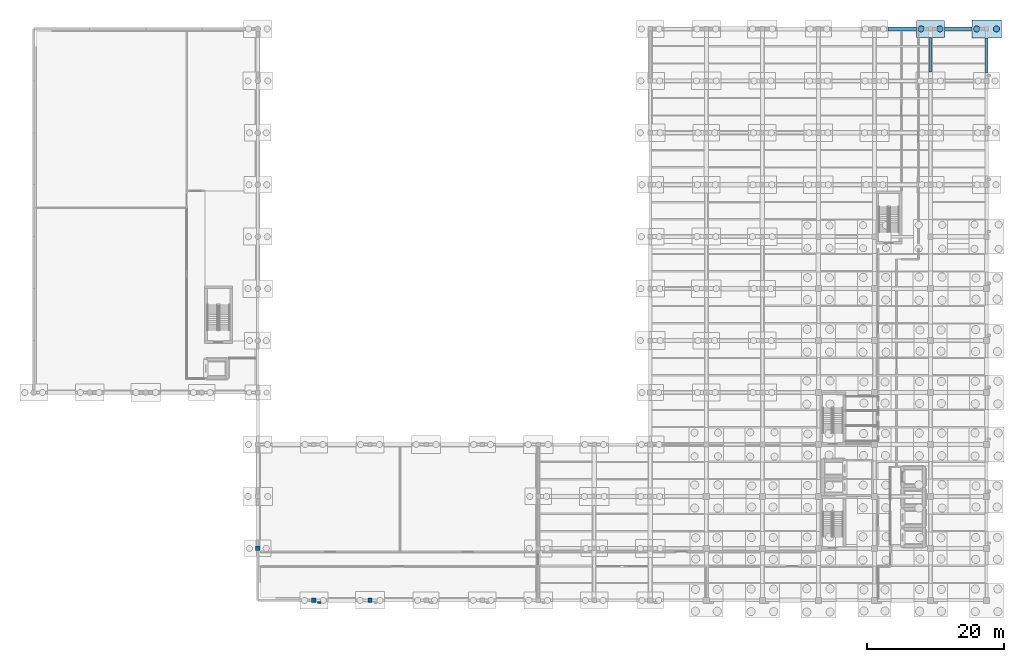
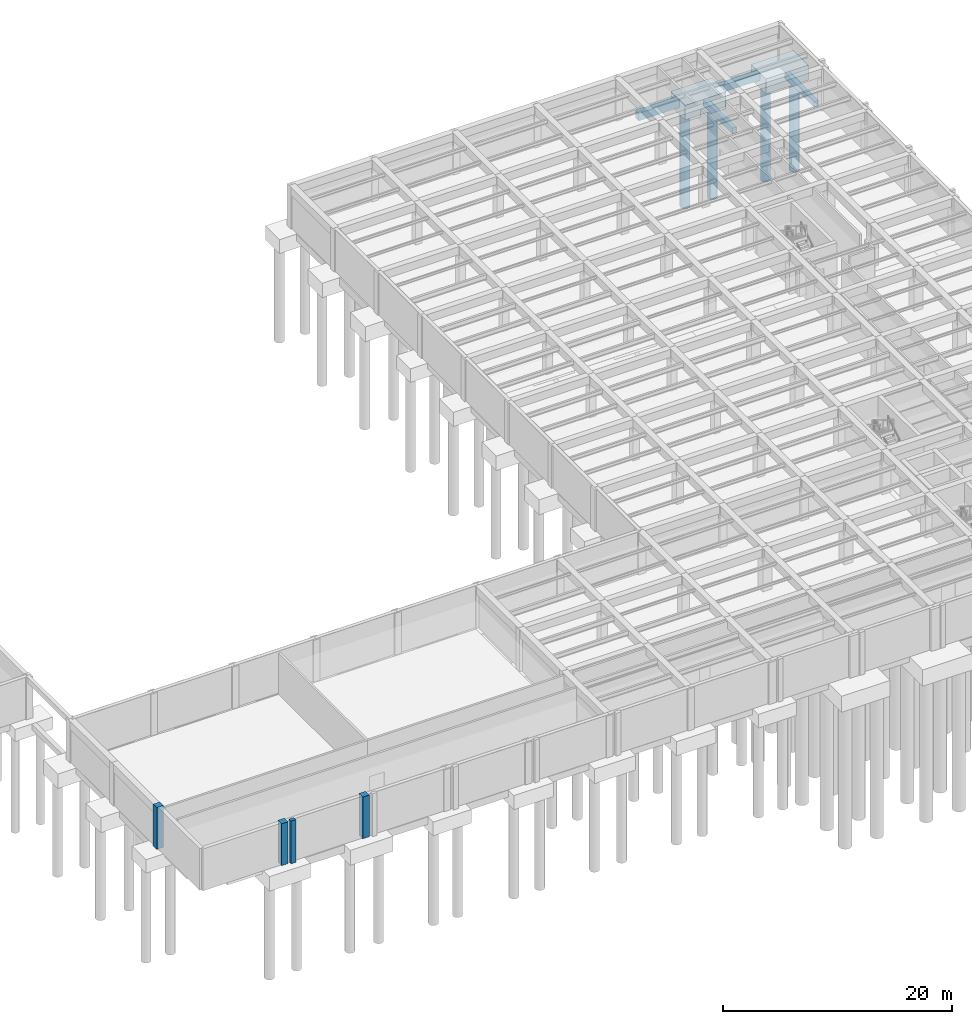
# One storey, part 8 of 29: 6 footings, 4 columns, 4 piles.
"""IFC4 building model written with IfcOpenShell, lengths in metres."""

from ifc_helpers import new_model, si_unit, direction, frame, origin, origin_2d, place, context, subcontext, project, spatial, rectangle, circle, extrude, material, material_profile, profile_set, type_object, element, save


model = new_model("IFC4")

# Units and contexts
model_context = context("Model", 3, precision=1e-05, world=origin(), true_north=direction((0.0, 1.0)))
body_context = subcontext(model_context, "Body", "Model", "MODEL_VIEW")
ifc_project = project(units=[si_unit("LENGTHUNIT", "METRE"), si_unit("AREAUNIT", "SQUARE_METRE"), si_unit("VOLUMEUNIT", "CUBIC_METRE"), si_unit("PLANEANGLEUNIT", "RADIAN"), si_unit("MASSUNIT", "GRAM", prefix="KILO")], contexts=[model_context])

# Site, building, storey
site_placement = place(None, origin())
site = spatial("IfcSite", under=ifc_project, at=site_placement, CompositionType="ELEMENT")
building_placement = place(site_placement, origin())
building = spatial("IfcBuilding", under=site, at=building_placement, Name="Qandaris Square Conservatory and Botanical Centre", CompositionType="ELEMENT")
storey_placement = place(building_placement, frame((0.0, 0.0, -4.800048828125)))
storey = spatial("IfcBuildingStorey", under=building, at=storey_placement, Name="B1", CompositionType="ELEMENT", Elevation=-4.800048828125)

# Piles
ifc_material_1 = material(Name="Concrete C50/60", Category="concrete")
ifc_material_profile_1 = material_profile(ifc_material_1, circle(Radius=0.449951171875, at=origin_2d()), Name="PILE D900")
ifc_profile_set_1 = profile_set([ifc_material_profile_1], Name="Concrete C50/60")
pile_type = type_object("IfcPileType", Name="Bored Pile D900", PredefinedType="BORED", material=ifc_profile_set_1)
for number, where, z_axis, x_axis, name in (
    (1, (154.22509765625, 100.199951171875, -1.449951171875), (0.0, 0.0, -1.0), (1.0, 0.0, 0.0), "Bored Pile N19-1"),
    (2, (156.97509765625, 100.199951171875, -1.449951171875), (0.0, 0.0, -1.0), (1.0, 0.0, 0.0), "Bored Pile N19-2"),
):
    element("IfcPile", number, at=place(storey_placement, frame(where, z_axis=z_axis, x_axis=x_axis)), inside=storey, type_object=pile_type, Name=name, PredefinedType="BORED", context=body_context, shape_type="SweptSolid", body=[
        extrude(circle(Radius=0.449951171875, at=origin_2d()), origin(), (0.0, 0.0, 1.0), 10.25),
    ])
for number, where, z_axis, x_axis, name in (
    (3, (162.35009765625, 100.199951171875, -1.5), (0.0, 0.0, -1.0), (1.0, 0.0, 0.0), "Bored Pile N20-1"),
    (4, (165.25, 100.199951171875, -1.5), (0.0, 0.0, -1.0), (1.0, 0.0, 0.0), "Bored Pile N20-2"),
):
    element("IfcPile", number, at=place(storey_placement, frame(where, z_axis=z_axis, x_axis=x_axis)), inside=storey, type_object=pile_type, Name=name, PredefinedType="BORED", context=body_context, shape_type="SweptSolid", body=[
        extrude(circle(Radius=0.449951171875, at=origin_2d()), origin(), (0.0, 0.0, 1.0), 10.199951171875),
    ])

# Footings
ifc_material_2 = material(Name="Concrete C40/50", Category="concrete")
ifc_material_profile_2 = material_profile(ifc_material_2, rectangle(XDim=0.550048828125, YDim=0.800048828125, at=origin_2d()), Name="FB 550x800")
ifc_profile_set_2 = profile_set([ifc_material_profile_2], Name="Concrete C40/50")
footing_type_1 = type_object("IfcFootingType", Name="RC Ground Tie Beam FB-02", PredefinedType="FOOTING_BEAM", material=ifc_profile_set_2)
footing_1_placement = place(storey_placement, frame((149.39990234375, 100.199951171875, -0.39990234375), z_axis=(1.0, 0.0, 0.0), x_axis=(0.0, 1.0, 0.0)))
element("IfcFooting", 5, at=footing_1_placement, inside=storey, type_object=footing_type_1, Name="Ground Tie Beam FB-02-092", PredefinedType="FOOTING_BEAM", context=body_context, shape_type="SweptSolid", body=[
    extrude(rectangle(XDim=0.550048828125, YDim=0.800048828125, at=origin_2d()), origin(), (0.0, 0.0, 1.0), 4.125),
])
ifc_material_profile_3 = material_profile(ifc_material_2, rectangle(XDim=0.5, YDim=0.75, at=origin_2d()), Name="FB 500x750")
ifc_profile_set_3 = profile_set([ifc_material_profile_3], Name="Concrete C40/50")
footing_type_2 = type_object("IfcFootingType", Name="RC Ground Tie Beam FB-03", PredefinedType="FOOTING_BEAM", material=ifc_profile_set_3)
footing_2_placement = place(storey_placement, frame((157.675048828125, 100.199951171875, -0.375), z_axis=(1.0, 0.0, 0.0), x_axis=(0.0, 1.0, 0.0)))
element("IfcFooting", 6, at=footing_2_placement, inside=storey, type_object=footing_type_2, Name="Ground Tie Beam FB-03-093", PredefinedType="FOOTING_BEAM", context=body_context, shape_type="SweptSolid", body=[
    extrude(rectangle(XDim=0.5, YDim=0.75, at=origin_2d()), origin(), (0.0, 0.0, 1.0), 3.974853515625),
])
ifc_material_profile_4 = material_profile(ifc_material_2, rectangle(XDim=0.449951171875, YDim=0.64990234375, at=origin_2d()), Name="FB 450x650")
ifc_profile_set_4 = profile_set([ifc_material_profile_4], Name="Concrete C40/50")
footing_type_3 = type_object("IfcFootingType", Name="RC Ground Tie Beam FB-05", PredefinedType="FOOTING_BEAM", material=ifc_profile_set_4)
footing_3_placement = place(storey_placement, frame((155.60009765625, 93.89990234375, -0.324951171875), z_axis=(0.0, 1.0, 0.0), x_axis=(-1.0, 0.0, 0.0)))
element("IfcFooting", 7, at=footing_3_placement, inside=storey, type_object=footing_type_3, Name="Ground Tie Beam FB-05-175", PredefinedType="FOOTING_BEAM", context=body_context, shape_type="SweptSolid", body=[
    extrude(rectangle(XDim=0.449951171875, YDim=0.64990234375, at=origin_2d()), origin(), (0.0, 0.0, 1.0), 5.050048828125),
])
ifc_material_profile_5 = material_profile(ifc_material_2, rectangle(XDim=0.449951171875, YDim=0.60009765625, at=origin_2d()), Name="FB 450x600")
ifc_profile_set_5 = profile_set([ifc_material_profile_5], Name="Concrete C40/50")
footing_type_4 = type_object("IfcFootingType", Name="RC Ground Tie Beam FB-06", PredefinedType="FOOTING_BEAM", material=ifc_profile_set_5)
footing_4_placement = place(storey_placement, frame((163.800048828125, 93.800048828125, -0.300048828125), z_axis=(0.0, 1.0, 0.0), x_axis=(-1.0, 0.0, 0.0)))
element("IfcFooting", 8, at=footing_4_placement, inside=storey, type_object=footing_type_4, Name="Ground Tie Beam FB-06-186", PredefinedType="FOOTING_BEAM", context=body_context, shape_type="SweptSolid", body=[
    extrude(rectangle(XDim=0.449951171875, YDim=0.60009765625, at=origin_2d()), origin(), (0.0, 0.0, 1.0), 5.099853515625),
])
footing_type_5 = type_object("IfcFootingType", Name="RC Pile Cap PC-05", PredefinedType="PILE_CAP", material=ifc_material_2)
footing_5_placement = place(storey_placement, frame((163.800048828125, 100.199951171875, -1.60009765625), z_axis=(0.0, 0.0, 1.0), x_axis=(1.0, 0.0, 0.0)))
element("IfcFooting", 9, at=footing_5_placement, inside=storey, type_object=footing_type_5, Name="Pile Cap PC-05 at N20", PredefinedType="PILE_CAP", context=body_context, shape_type="SweptSolid", body=[
    extrude(rectangle(XDim=4.300048828125, YDim=2.60009765625, at=origin_2d()), origin(), (0.0, 0.0, 1.0), 1.60009765625),
])
footing_type_6 = type_object("IfcFootingType", Name="RC Pile Cap PC-06", PredefinedType="PILE_CAP", material=ifc_material_2)
footing_6_placement = place(storey_placement, frame((155.60009765625, 100.199951171875, -1.5498046875), z_axis=(0.0, 0.0, 1.0), x_axis=(1.0, 0.0, 0.0)))
element("IfcFooting", 10, at=footing_6_placement, inside=storey, type_object=footing_type_6, Name="Pile Cap PC-06 at N19", PredefinedType="PILE_CAP", context=body_context, shape_type="SweptSolid", body=[
    extrude(rectangle(XDim=4.14990234375, YDim=2.5, at=origin_2d()), origin(), (0.0, 0.0, 1.0), 1.550048828125),
])

# Columns
ifc_material_profile_6 = material_profile(ifc_material_1, rectangle(XDim=0.5, YDim=0.35009765625, at=origin_2d()), Name="RC-PIL 500x350")
ifc_profile_set_6 = profile_set([ifc_material_profile_6], Name="Concrete C50/60")
column_type_1 = type_object("IfcColumnType", Name="Engaged Prairie Pilaster 500x350", PredefinedType="PILASTER", material=ifc_profile_set_6)
column_placement = place(storey_placement, frame((66.179931640625, 16.280029296875, 0.0), z_axis=(0.0, 0.0, 1.0), x_axis=(1.0, 0.0, 0.0)))
element("IfcColumn", 11, at=column_placement, inside=storey, type_object=column_type_1, Name="Prairie Pilaster 01 (B1)", PredefinedType="PILASTER", context=body_context, shape_type="SweptSolid", body=[
    extrude(rectangle(XDim=0.5, YDim=0.35009765625, at=origin_2d()), origin(), (0.0, 0.0, 1.0), 4.56494140625),
])
ifc_material_profile_7 = material_profile(ifc_material_1, rectangle(XDim=0.64990234375, YDim=0.64990234375, at=origin_2d()), Name="RC-COL 650x650")
ifc_profile_set_7 = profile_set([ifc_material_profile_7], Name="Concrete C50/60")
column_type_2 = type_object("IfcColumnType", Name="RC Column 650x650", PredefinedType="COLUMN", material=ifc_profile_set_7)
for number, where, z_axis, x_axis, name in (
    (12, (57.199951171875, 24.199951171875, 0.0), (0.0, 0.0, 1.0), (1.0, 0.0, 0.0), "Column C7 (B1)"),
    (13, (65.39990234375, 16.60009765625, 0.0), (0.0, 0.0, 1.0), (1.0, 0.0, 0.0), "Column B8 (B1)"),
    (14, (73.60009765625, 16.60009765625, 0.0), (0.0, 0.0, 1.0), (1.0, 0.0, 0.0), "Column B9 (B1)"),
):
    element("IfcColumn", number, at=place(storey_placement, frame(where, z_axis=z_axis, x_axis=x_axis)), inside=storey, type_object=column_type_2, Name=name, PredefinedType="COLUMN", context=body_context, shape_type="SweptSolid", body=[
        extrude(rectangle(XDim=0.64990234375, YDim=0.64990234375, at=origin_2d()), origin(), (0.0, 0.0, 1.0), 4.4599609375),
    ])

save(model, "model.ifc")
